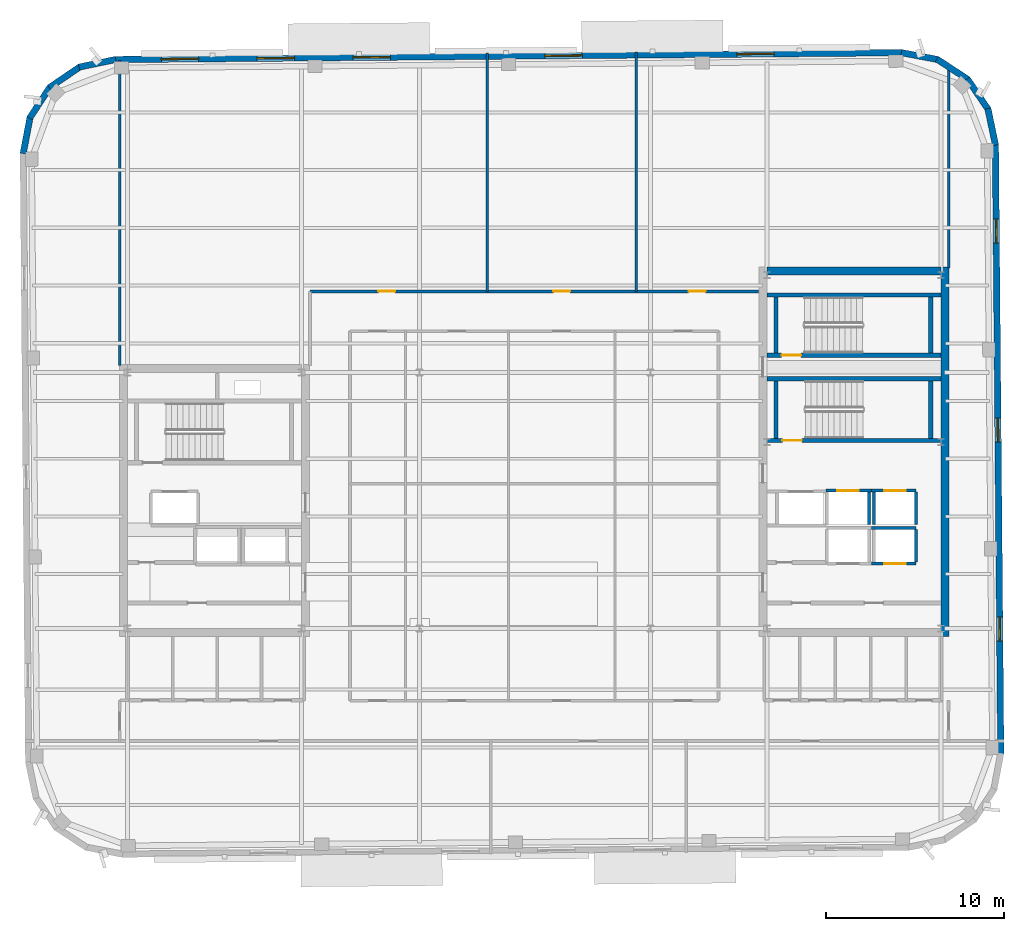
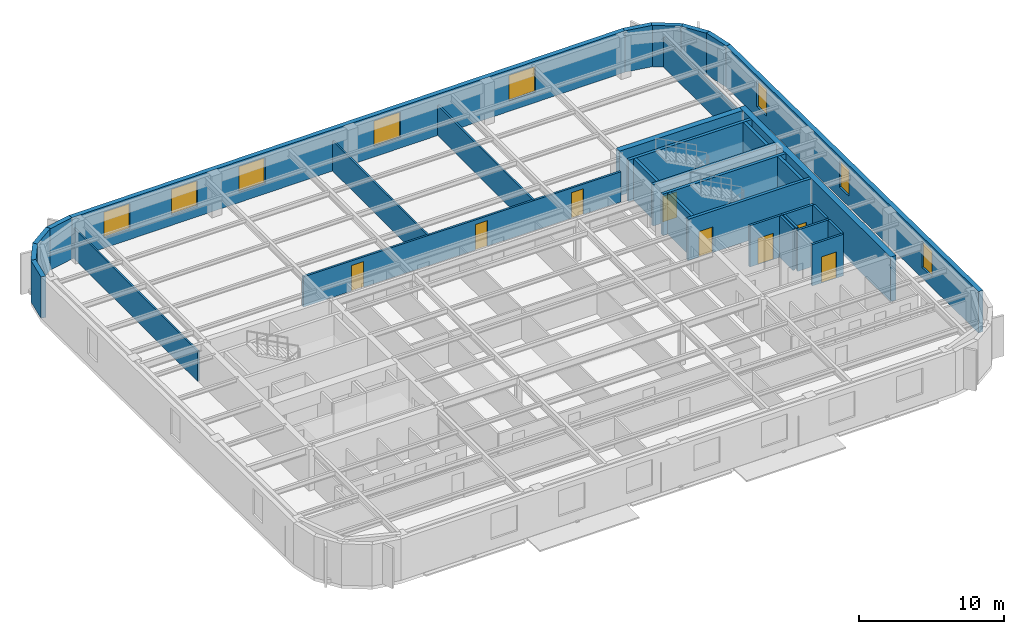
# One storey, part 9 of 15: 33 walls, 8 doors, 8 windows, 16 openings.
"""IFC4 building model written with IfcOpenShell, lengths in metres."""

from ifc_helpers import new_model, si_unit, direction, frame, frame_2d, origin, place, context, subcontext, project, spatial, rectangle, extrude, material, layer, layer_set, type_object, element, fill, save


model = new_model("IFC4")

# Units and contexts
model_context = context("Model", 3, precision=1e-05, world=origin(), true_north=direction((0.0, 1.0)))
body_context = subcontext(model_context, "Body", "Model", "MODEL_VIEW")
ifc_project = project(units=[si_unit("LENGTHUNIT", "METRE"), si_unit("AREAUNIT", "SQUARE_METRE"), si_unit("VOLUMEUNIT", "CUBIC_METRE"), si_unit("PLANEANGLEUNIT", "RADIAN"), si_unit("MASSUNIT", "GRAM", prefix="KILO")], contexts=[model_context])

# Site, building, storey
site_placement = place(None, origin())
site = spatial("IfcSite", under=ifc_project, at=site_placement, CompositionType="ELEMENT")
building_placement = place(site_placement, origin())
building = spatial("IfcBuilding", under=site, at=building_placement, Name="Kolvaren Arena Tower", CompositionType="ELEMENT")
storey_placement = place(building_placement, frame((0.0, 0.0, 304.89990234375)))
storey = spatial("IfcBuildingStorey", under=building, at=storey_placement, Name="L75", CompositionType="ELEMENT", Elevation=304.89990234375)

# Wall, openings, doors
ifc_material_1 = material(Name="Gypsum board acoustic assembly", Category="gypsum")
ifc_layer_1 = layer(ifc_material_1, 0.159912109375)
ifc_layer_set_1 = layer_set([ifc_layer_1], Name="Gypsum board acoustic assembly")
wall_type_1 = type_object("IfcWallType", Name="CORR-160", PredefinedType="PARTITIONING", material=ifc_layer_set_1)
wall_1_placement = place(storey_placement, frame((24.820068359375, 38.419921875, 0.0), z_axis=(0.0, 0.0, 1.0), x_axis=(1.0, 0.0, 0.0)))
wall_1 = element("IfcWall", 1, at=wall_1_placement, inside=storey, type_object=wall_type_1, Name="Interior Partition Wall (L75)", PredefinedType="PARTITIONING", context=body_context, shape_type="SweptSolid", body=[
    extrude(rectangle(XDim=25.260009765625, YDim=0.159912109375, at=frame_2d((12.6298828125, 0.0))), origin(), (0.0, 0.0, 1.0), 2.5400390625),
])
opening_1_placement = place(wall_1_placement, frame((3.85498046875, 0.0, 0.0)))
opening_1 = element("IfcOpeningElement", 2, at=opening_1_placement, cuts=wall_1, Name="Opening D05", PredefinedType="OPENING", context=body_context, shape_type="SweptSolid", body=[
    extrude(rectangle(XDim=0.949951171875, YDim=2.14990234375, at=frame_2d((0.47509765625, 1.074951171875))), frame((0.0, 0.08984375, 0.0), z_axis=(0.0, -1.0, 0.0), x_axis=(1.0, 0.0, 0.0)), (0.0, 0.0, 1.0), 0.179931640625),
])
opening_2_placement = place(wall_1_placement, frame((13.705078125, 0.0, 0.0)))
opening_2 = element("IfcOpeningElement", 3, at=opening_2_placement, cuts=wall_1, Name="Opening D05", PredefinedType="OPENING", context=body_context, shape_type="SweptSolid", body=[
    extrude(rectangle(XDim=0.949951171875, YDim=2.14990234375, at=frame_2d((0.47509765625, 1.074951171875))), frame((0.0, 0.08984375, 0.0), z_axis=(0.0, -1.0, 0.0), x_axis=(1.0, 0.0, 0.0)), (0.0, 0.0, 1.0), 0.179931640625),
])
opening_3_placement = place(wall_1_placement, frame((21.330078125, 0.0, 0.0)))
opening_3 = element("IfcOpeningElement", 4, at=opening_3_placement, cuts=wall_1, Name="Opening D05", PredefinedType="OPENING", context=body_context, shape_type="SweptSolid", body=[
    extrude(rectangle(XDim=0.949951171875, YDim=2.14990234375, at=frame_2d((0.47509765625, 1.074951171875))), frame((0.0, 0.08984375, 0.0), z_axis=(0.0, -1.0, 0.0), x_axis=(1.0, 0.0, 0.0)), (0.0, 0.0, 1.0), 0.179931640625),
])
ifc_material_2 = material(Name="Solid-core oak acoustic office door", Category="wood")
door_type_1 = type_object("IfcDoorType", Name="DOOR-OF-095", OperationType="NOTDEFINED", PredefinedType="DOOR", material=ifc_material_2)
door_1_placement = place(opening_1_placement, origin())
door_1 = element("IfcDoor", 5, at=door_1_placement, inside=storey, type_object=door_type_1, Name="Design Studio Door (L75)", OperationType="SINGLE_SWING_RIGHT", OverallHeight=2.14990234375, OverallWidth=0.949951171875, PredefinedType="DOOR", context=body_context, shape_type="SweptSolid", body=[
    extrude(rectangle(XDim=0.949951171875, YDim=2.14990234375, at=frame_2d((0.47509765625, 1.074951171875))), frame((0.0, 0.02490234375, 0.0), z_axis=(0.0, -1.0, 0.0), x_axis=(1.0, 0.0, 0.0)), (0.0, 0.0, 1.0), 0.050048828125),
])
fill(opening_1, door_1)
door_2_placement = place(opening_2_placement, origin())
door_2 = element("IfcDoor", 6, at=door_2_placement, inside=storey, type_object=door_type_1, Name="Corporate Project Office Door (L75)", OperationType="SINGLE_SWING_LEFT", OverallHeight=2.14990234375, OverallWidth=0.949951171875, PredefinedType="DOOR", context=body_context, shape_type="SweptSolid", body=[
    extrude(rectangle(XDim=0.949951171875, YDim=2.14990234375, at=frame_2d((0.47509765625, 1.074951171875))), frame((0.0, 0.02490234375, 0.0), z_axis=(0.0, -1.0, 0.0), x_axis=(1.0, 0.0, 0.0)), (0.0, 0.0, 1.0), 0.050048828125),
])
fill(opening_2, door_2)
door_3_placement = place(opening_3_placement, origin())
door_3 = element("IfcDoor", 7, at=door_3_placement, inside=storey, type_object=door_type_1, Name="Breakout Pantry and Kitchen Door (L75)", OperationType="SINGLE_SWING_RIGHT", OverallHeight=2.14990234375, OverallWidth=0.949951171875, PredefinedType="DOOR", context=body_context, shape_type="SweptSolid", body=[
    extrude(rectangle(XDim=0.949951171875, YDim=2.14990234375, at=frame_2d((0.47509765625, 1.074951171875))), frame((0.0, 0.02490234375, 0.0), z_axis=(0.0, -1.0, 0.0), x_axis=(1.0, 0.0, 0.0)), (0.0, 0.0, 1.0), 0.050048828125),
])
fill(opening_3, door_3)

# Walls
ifc_material_3 = material(Name="Concrete 55 MPa", Category="concrete")
ifc_layer_2 = layer(ifc_material_3, 0.449951171875)
ifc_layer_set_2 = layer_set([ifc_layer_2], Name="Concrete 55 MPa")
wall_type_2 = type_object("IfcWallType", Name="CWALL-450", PredefinedType="SHEAR", material=ifc_layer_set_2)
wall_2_placement = place(storey_placement, frame((60.574951171875, 19.0, -0.27001953125), z_axis=(0.0, 0.0, 1.0), x_axis=(0.0, 1.0, 0.0)))
element("IfcWall", 8, at=wall_2_placement, inside=storey, type_object=wall_type_2, Name="Core Shear Wall EC-EAST (L75)", PredefinedType="SHEAR", context=body_context, shape_type="SweptSolid", body=[
    extrude(rectangle(XDim=20.800048828125, YDim=0.449951171875, at=frame_2d((10.39990234375, 0.0))), origin(), (0.0, 0.0, 1.0), 3.75),
])
wall_3_placement = place(storey_placement, frame((50.550048828125, 39.574951171875, -0.27001953125), z_axis=(0.0, 0.0, 1.0), x_axis=(1.0, 0.0, 0.0)))
element("IfcWall", 9, at=wall_3_placement, inside=storey, type_object=wall_type_2, Name="Core Shear Wall EC-NORTH (L75)", PredefinedType="SHEAR", context=body_context, shape_type="SweptSolid", body=[
    extrude(rectangle(XDim=9.800048828125, YDim=0.449951171875, at=frame_2d((4.89990234375, 0.0))), origin(), (0.0, 0.0, 1.0), 3.75),
])

# Wall, openings, windows
ifc_material_4 = material(Name="Precast concrete C50/60", Category="concrete")
ifc_layer_3 = layer(ifc_material_4, 0.360107421875)
ifc_layer_set_3 = layer_set([ifc_layer_3], Name="Precast concrete C50/60")
wall_type_3 = type_object("IfcWallType", Name="EXT-PIER2", PredefinedType="SOLIDWALL", material=ifc_layer_set_3)
wall_4_placement = place(storey_placement, frame((63.419189453125, 46.688232421875, 0.0), z_axis=(0.0, 0.0, 1.0), x_axis=(0.008726391715, -0.999961924319, 0.0)))
wall_4 = element("IfcWall", 10, at=wall_4_placement, inside=storey, type_object=wall_type_3, Name="Exterior Precast Masonry-Frame Wall (L75)", PredefinedType="SOLIDWALL", context=body_context, shape_type="SweptSolid", body=[
    extrude(rectangle(XDim=34.300048828125, YDim=0.360107421875, at=frame_2d((17.14990234375, 0.0))), origin(), (0.0, 0.0, 1.0), 3.47998046875),
])
opening_4_placement = place(wall_4_placement, frame((4.199951171875, 0.0, 0.8798828125)))
opening_4 = element("IfcOpeningElement", 11, at=opening_4_placement, cuts=wall_4, Name="Opening W04", PredefinedType="OPENING", context=body_context, shape_type="SweptSolid", body=[
    extrude(rectangle(XDim=1.35009765625, YDim=2.199951171875, at=frame_2d((0.675048828125, 1.10009765625))), frame((0.0, 0.18994140625, 0.0), z_axis=(0.0, -1.0, 0.0), x_axis=(1.0, 0.0, 0.0)), (0.0, 0.0, 1.0), 0.380126953125),
])
opening_5_placement = place(wall_4_placement, frame((15.39990234375, 0.0, 0.8798828125)))
opening_5 = element("IfcOpeningElement", 12, at=opening_5_placement, cuts=wall_4, Name="Opening W04", PredefinedType="OPENING", context=body_context, shape_type="SweptSolid", body=[
    extrude(rectangle(XDim=1.35009765625, YDim=2.199951171875, at=frame_2d((0.675048828125, 1.10009765625))), frame((0.0, 0.18994140625, 0.0), z_axis=(0.0, -1.0, 0.0), x_axis=(1.0, 0.0, 0.0)), (0.0, 0.0, 1.0), 0.380126953125),
])
opening_6_placement = place(wall_4_placement, frame((26.60009765625, 0.0, 0.8798828125)))
opening_6 = element("IfcOpeningElement", 13, at=opening_6_placement, cuts=wall_4, Name="Opening W04", PredefinedType="OPENING", context=body_context, shape_type="SweptSolid", body=[
    extrude(rectangle(XDim=1.35009765625, YDim=2.199951171875, at=frame_2d((0.675048828125, 1.10009765625))), frame((0.0, 0.18994140625, 0.0), z_axis=(0.0, -1.0, 0.0), x_axis=(1.0, 0.0, 0.0)), (0.0, 0.0, 1.0), 0.380126953125),
])
ifc_material_5 = material(Name="Triple-glazed curved-facet corner window", Category="glass")
window_type_1 = type_object("IfcWindowType", Name="WIN-CRN-A", PartitioningType="SINGLE_PANEL", PredefinedType="WINDOW", material=ifc_material_5)
window_1_placement = place(opening_4_placement, origin())
window_1 = element("IfcWindow", 14, at=window_1_placement, inside=storey, type_object=window_type_1, Name="End-Wall Punched Window (L75)", OverallHeight=2.199951171875, OverallWidth=1.35009765625, PartitioningType="SINGLE_PANEL", PredefinedType="WINDOW", context=body_context, shape_type="SweptSolid", body=[
    extrude(rectangle(XDim=1.35009765625, YDim=2.199951171875, at=frame_2d((0.675048828125, 1.10009765625))), frame((0.0, 0.030029296875, 0.0), z_axis=(0.0, -1.0, 0.0), x_axis=(1.0, 0.0, 0.0)), (0.0, 0.0, 1.0), 0.06005859375),
])
fill(opening_4, window_1)
window_2_placement = place(opening_5_placement, origin())
window_2 = element("IfcWindow", 15, at=window_2_placement, inside=storey, type_object=window_type_1, Name="End-Wall Punched Window (L75)", OverallHeight=2.199951171875, OverallWidth=1.35009765625, PartitioningType="SINGLE_PANEL", PredefinedType="WINDOW", context=body_context, shape_type="SweptSolid", body=[
    extrude(rectangle(XDim=1.35009765625, YDim=2.199951171875, at=frame_2d((0.675048828125, 1.10009765625))), frame((0.0, 0.030029296875, 0.0), z_axis=(0.0, -1.0, 0.0), x_axis=(1.0, 0.0, 0.0)), (0.0, 0.0, 1.0), 0.06005859375),
])
fill(opening_5, window_2)
window_3_placement = place(opening_6_placement, origin())
window_3 = element("IfcWindow", 16, at=window_3_placement, inside=storey, type_object=window_type_1, Name="End-Wall Punched Window (L75)", OverallHeight=2.199951171875, OverallWidth=1.35009765625, PartitioningType="SINGLE_PANEL", PredefinedType="WINDOW", context=body_context, shape_type="SweptSolid", body=[
    extrude(rectangle(XDim=1.35009765625, YDim=2.199951171875, at=frame_2d((0.675048828125, 1.10009765625))), frame((0.0, 0.030029296875, 0.0), z_axis=(0.0, -1.0, 0.0), x_axis=(1.0, 0.0, 0.0)), (0.0, 0.0, 1.0), 0.06005859375),
])
fill(opening_6, window_3)

# Walls
for number, where, z_axis, x_axis, name in (
    (17, (62.993896484375, 48.7158203125, 0.0), (0.0, 0.0, 1.0), (0.203709000552, -0.979031482177, 0.0), "Exterior Precast Masonry-Frame Wall (L75)"),
    (18, (61.835693359375, 50.392822265625, 0.0), (0.0, 0.0, 1.0), (0.562829722645, -0.826572866302, 0.0), "Exterior Precast Masonry-Frame Wall (L75)"),
):
    element("IfcWall", number, at=place(storey_placement, frame(where, z_axis=z_axis, x_axis=x_axis)), inside=storey, type_object=wall_type_3, Name=name, PredefinedType="SOLIDWALL", context=body_context, shape_type="SweptSolid", body=[
        extrude(rectangle(XDim=2.10693359375, YDim=0.360107421875, at=frame_2d((1.053466796875, 0.0))), origin(), (0.0, 0.0, 1.0), 3.47998046875),
    ])
for number, where, z_axis, x_axis, name in (
    (19, (60.123779296875, 51.498779296875, 0.0), (0.0, 0.0, 1.0), (0.83632188969, -0.548238722478, 0.0), "Exterior Precast Masonry-Frame Wall (L75)"),
    (20, (58.118896484375, 51.865478515625, 0.0), (0.0, 0.0, 1.0), (0.982463107022, -0.186457081764, 0.0), "Exterior Precast Masonry-Frame Wall (L75)"),
):
    element("IfcWall", number, at=place(storey_placement, frame(where, z_axis=z_axis, x_axis=x_axis)), inside=storey, type_object=wall_type_3, Name=name, PredefinedType="SOLIDWALL", context=body_context, shape_type="SweptSolid", body=[
        extrude(rectangle(XDim=2.106689453125, YDim=0.360107421875, at=frame_2d((1.05322265625, 0.0))), origin(), (0.0, 0.0, 1.0), 3.47998046875),
    ])

# Wall, openings, windows
wall_5_placement = place(storey_placement, frame((13.855712890625, 51.475830078125, 0.0), z_axis=(0.0, 0.0, 1.0), x_axis=(0.999961944954, 0.008724026757, 0.0)))
wall_5 = element("IfcWall", 21, at=wall_5_placement, inside=storey, type_object=wall_type_3, Name="Exterior Precast Masonry-Frame Wall (L75)", PredefinedType="SOLIDWALL", context=body_context, shape_type="SweptSolid", body=[
    extrude(rectangle(XDim=44.300048828125, YDim=0.360107421875, at=frame_2d((22.14990234375, 0.0))), origin(), (0.0, 0.0, 1.0), 3.47998046875),
])
opening_7_placement = place(wall_5_placement, frame((2.60009765625, 0.0, 0.8798828125)))
opening_7 = element("IfcOpeningElement", 22, at=opening_7_placement, cuts=wall_5, Name="Opening W01", PredefinedType="OPENING", context=body_context, shape_type="SweptSolid", body=[
    extrude(rectangle(XDim=2.10009765625, YDim=2.14990234375, at=frame_2d((1.050048828125, 1.074951171875))), frame((0.0, 0.18994140625, 0.0), z_axis=(0.0, -1.0, 0.0), x_axis=(1.0, 0.0, 0.0)), (0.0, 0.0, 1.0), 0.380126953125),
])
opening_8_placement = place(wall_5_placement, frame((8.0, 0.0, 0.8798828125)))
opening_8 = element("IfcOpeningElement", 23, at=opening_8_placement, cuts=wall_5, Name="Opening W01", PredefinedType="OPENING", context=body_context, shape_type="SweptSolid", body=[
    extrude(rectangle(XDim=2.10009765625, YDim=2.14990234375, at=frame_2d((1.050048828125, 1.074951171875))), frame((0.0, 0.18994140625, 0.0), z_axis=(0.0, -1.0, 0.0), x_axis=(1.0, 0.0, 0.0)), (0.0, 0.0, 1.0), 0.380126953125),
])
opening_9_placement = place(wall_5_placement, frame((13.39990234375, 0.0, 0.8798828125)))
opening_9 = element("IfcOpeningElement", 24, at=opening_9_placement, cuts=wall_5, Name="Opening W01", PredefinedType="OPENING", context=body_context, shape_type="SweptSolid", body=[
    extrude(rectangle(XDim=2.10009765625, YDim=2.14990234375, at=frame_2d((1.050048828125, 1.074951171875))), frame((0.0, 0.18994140625, 0.0), z_axis=(0.0, -1.0, 0.0), x_axis=(1.0, 0.0, 0.0)), (0.0, 0.0, 1.0), 0.380126953125),
])
opening_10_placement = place(wall_5_placement, frame((24.199951171875, 0.0, 0.8798828125)))
opening_10 = element("IfcOpeningElement", 25, at=opening_10_placement, cuts=wall_5, Name="Opening W01", PredefinedType="OPENING", context=body_context, shape_type="SweptSolid", body=[
    extrude(rectangle(XDim=2.10009765625, YDim=2.14990234375, at=frame_2d((1.050048828125, 1.074951171875))), frame((0.0, 0.18994140625, 0.0), z_axis=(0.0, -1.0, 0.0), x_axis=(1.0, 0.0, 0.0)), (0.0, 0.0, 1.0), 0.380126953125),
])
opening_11_placement = place(wall_5_placement, frame((35.0, 0.0, 0.8798828125)))
opening_11 = element("IfcOpeningElement", 26, at=opening_11_placement, cuts=wall_5, Name="Opening W01", PredefinedType="OPENING", context=body_context, shape_type="SweptSolid", body=[
    extrude(rectangle(XDim=2.10009765625, YDim=2.14990234375, at=frame_2d((1.050048828125, 1.074951171875))), frame((0.0, 0.18994140625, 0.0), z_axis=(0.0, -1.0, 0.0), x_axis=(1.0, 0.0, 0.0)), (0.0, 0.0, 1.0), 0.380126953125),
])
ifc_material_6 = material(Name="Triple-glazed low-E aluminium window", Category="aluminium")
window_type_2 = type_object("IfcWindowType", Name="WIN-OFF-A", PartitioningType="DOUBLE_PANEL_VERTICAL", PredefinedType="WINDOW", material=ifc_material_6)
window_4_placement = place(opening_7_placement, origin())
window_4 = element("IfcWindow", 27, at=window_4_placement, inside=storey, type_object=window_type_2, Name="Punched Precast-Pier Window (L75)", OverallHeight=2.14990234375, OverallWidth=2.10009765625, PartitioningType="DOUBLE_PANEL_VERTICAL", PredefinedType="WINDOW", context=body_context, shape_type="SweptSolid", body=[
    extrude(rectangle(XDim=2.10009765625, YDim=2.14990234375, at=frame_2d((1.050048828125, 1.074951171875))), frame((0.0, 0.030029296875, 0.0), z_axis=(0.0, -1.0, 0.0), x_axis=(1.0, 0.0, 0.0)), (0.0, 0.0, 1.0), 0.06005859375),
])
fill(opening_7, window_4)
window_5_placement = place(opening_8_placement, origin())
window_5 = element("IfcWindow", 28, at=window_5_placement, inside=storey, type_object=window_type_2, Name="Punched Precast-Pier Window (L75)", OverallHeight=2.14990234375, OverallWidth=2.10009765625, PartitioningType="DOUBLE_PANEL_VERTICAL", PredefinedType="WINDOW", context=body_context, shape_type="SweptSolid", body=[
    extrude(rectangle(XDim=2.10009765625, YDim=2.14990234375, at=frame_2d((1.050048828125, 1.074951171875))), frame((0.0, 0.030029296875, 0.0), z_axis=(0.0, -1.0, 0.0), x_axis=(1.0, 0.0, 0.0)), (0.0, 0.0, 1.0), 0.06005859375),
])
fill(opening_8, window_5)
window_6_placement = place(opening_9_placement, origin())
window_6 = element("IfcWindow", 29, at=window_6_placement, inside=storey, type_object=window_type_2, Name="Punched Precast-Pier Window (L75)", OverallHeight=2.14990234375, OverallWidth=2.10009765625, PartitioningType="DOUBLE_PANEL_VERTICAL", PredefinedType="WINDOW", context=body_context, shape_type="SweptSolid", body=[
    extrude(rectangle(XDim=2.10009765625, YDim=2.14990234375, at=frame_2d((1.050048828125, 1.074951171875))), frame((0.0, 0.030029296875, 0.0), z_axis=(0.0, -1.0, 0.0), x_axis=(1.0, 0.0, 0.0)), (0.0, 0.0, 1.0), 0.06005859375),
])
fill(opening_9, window_6)
window_7_placement = place(opening_10_placement, origin())
window_7 = element("IfcWindow", 30, at=window_7_placement, inside=storey, type_object=window_type_2, Name="Punched Precast-Pier Window (L75)", OverallHeight=2.14990234375, OverallWidth=2.10009765625, PartitioningType="DOUBLE_PANEL_VERTICAL", PredefinedType="WINDOW", context=body_context, shape_type="SweptSolid", body=[
    extrude(rectangle(XDim=2.10009765625, YDim=2.14990234375, at=frame_2d((1.050048828125, 1.074951171875))), frame((0.0, 0.030029296875, 0.0), z_axis=(0.0, -1.0, 0.0), x_axis=(1.0, 0.0, 0.0)), (0.0, 0.0, 1.0), 0.06005859375),
])
fill(opening_10, window_7)
window_8_placement = place(opening_11_placement, origin())
window_8 = element("IfcWindow", 31, at=window_8_placement, inside=storey, type_object=window_type_2, Name="Punched Precast-Pier Window (L75)", OverallHeight=2.14990234375, OverallWidth=2.10009765625, PartitioningType="DOUBLE_PANEL_VERTICAL", PredefinedType="WINDOW", context=body_context, shape_type="SweptSolid", body=[
    extrude(rectangle(XDim=2.10009765625, YDim=2.14990234375, at=frame_2d((1.050048828125, 1.074951171875))), frame((0.0, 0.030029296875, 0.0), z_axis=(0.0, -1.0, 0.0), x_axis=(1.0, 0.0, 0.0)), (0.0, 0.0, 1.0), 0.06005859375),
])
fill(opening_11, window_8)

# Walls
for number, where, z_axis, x_axis, name in (
    (32, (11.827880859375, 51.050537109375, 0.0), (0.0, 0.0, 1.0), (0.97905458633, 0.203597929717, 0.0), "Exterior Precast Masonry-Frame Wall (L75)"),
    (33, (10.15087890625, 49.89208984375, 0.0), (0.0, 0.0, 1.0), (0.826609569219, 0.56277581689, 0.0), "Exterior Precast Masonry-Frame Wall (L75)"),
):
    element("IfcWall", number, at=place(storey_placement, frame(where, z_axis=z_axis, x_axis=x_axis)), inside=storey, type_object=wall_type_3, Name=name, PredefinedType="SOLIDWALL", context=body_context, shape_type="SweptSolid", body=[
        extrude(rectangle(XDim=2.10693359375, YDim=0.360107421875, at=frame_2d((1.053466796875, 0.0))), origin(), (0.0, 0.0, 1.0), 3.47998046875),
    ])
for number, where, z_axis, x_axis, name in (
    (34, (9.044921875, 48.18017578125, 0.0), (0.0, 0.0, 1.0), (0.548266637224, 0.836303589916, 0.0), "Exterior Precast Masonry-Frame Wall (L75)"),
    (35, (8.67822265625, 46.17529296875, 0.0), (0.0, 0.0, 1.0), (0.186547695246, 0.982445905584, 0.0), "Exterior Precast Masonry-Frame Wall (L75)"),
):
    element("IfcWall", number, at=place(storey_placement, frame(where, z_axis=z_axis, x_axis=x_axis)), inside=storey, type_object=wall_type_3, Name=name, PredefinedType="SOLIDWALL", context=body_context, shape_type="SweptSolid", body=[
        extrude(rectangle(XDim=2.107177734375, YDim=0.360107421875, at=frame_2d((1.0537109375, 0.0))), origin(), (0.0, 0.0, 1.0), 3.47998046875),
    ])
ifc_material_7 = material(Name="Gypsum board partition assembly", Category="gypsum")
ifc_layer_4 = layer(ifc_material_7, 0.135009765625)
ifc_layer_set_4 = layer_set([ifc_layer_4], Name="Gypsum board partition assembly")
wall_type_4 = type_object("IfcWallType", Name="PART-135", PredefinedType="PARTITIONING", material=ifc_layer_set_4)
wall_6_placement = place(storey_placement, frame((34.800048828125, 38.419921875, 0.0), z_axis=(0.0, 0.0, 1.0), x_axis=(0.0, 1.0, 0.0)))
element("IfcWall", 36, at=wall_6_placement, inside=storey, type_object=wall_type_4, Name="Interior Partition Wall (L75)", PredefinedType="PARTITIONING", context=body_context, shape_type="SweptSolid", body=[
    extrude(rectangle(XDim=13.418701171875, YDim=0.135009765625, at=frame_2d((6.70947265625, 0.0))), origin(), (0.0, 0.0, 1.0), 2.5400390625),
])
wall_7_placement = place(storey_placement, frame((43.199951171875, 38.419921875, 0.0), z_axis=(0.0, 0.0, 1.0), x_axis=(0.0, 1.0, 0.0)))
element("IfcWall", 37, at=wall_7_placement, inside=storey, type_object=wall_type_4, Name="Interior Partition Wall (L75)", PredefinedType="PARTITIONING", context=body_context, shape_type="SweptSolid", body=[
    extrude(rectangle(XDim=13.491943359375, YDim=0.135009765625, at=frame_2d((6.74609375, 0.0))), origin(), (0.0, 0.0, 1.0), 2.5400390625),
])
wall_8_placement = place(storey_placement, frame((14.1201171875, 34.25, 0.0), z_axis=(0.0, 0.0, 1.0), x_axis=(0.0, 1.0, 0.0)))
element("IfcWall", 38, at=wall_8_placement, inside=storey, type_object=wall_type_4, Name="Interior Partition Wall (L75)", PredefinedType="PARTITIONING", context=body_context, shape_type="SweptSolid", body=[
    extrude(rectangle(XDim=17.168212890625, YDim=0.135009765625, at=frame_2d((8.583984375, 0.0))), origin(), (0.0, 0.0, 1.0), 2.5400390625),
])
wall_9_placement = place(storey_placement, frame((60.780029296875, 39.75, 0.0), z_axis=(0.0, 0.0, 1.0), x_axis=(0.0, 1.0, 0.0)))
element("IfcWall", 39, at=wall_9_placement, inside=storey, type_object=wall_type_4, Name="Interior Partition Wall (L75)", PredefinedType="PARTITIONING", context=body_context, shape_type="SweptSolid", body=[
    extrude(rectangle(XDim=11.246826171875, YDim=0.135009765625, at=frame_2d((5.62353515625, 0.0))), origin(), (0.0, 0.0, 1.0), 2.5400390625),
])

# Wall, opening, door
ifc_material_8 = material(Name="Concrete 45 MPa", Category="concrete")
ifc_layer_5 = layer(ifc_material_8, 0.25)
ifc_layer_set_5 = layer_set([ifc_layer_5], Name="Concrete 45 MPa")
wall_type_5 = type_object("IfcWallType", Name="SHAFT-250", PredefinedType="SOLIDWALL", material=ifc_layer_set_5)
wall_10_placement = place(storey_placement, frame((60.35009765625, 30.030029296875, 0.0), z_axis=(0.0, 0.0, 1.0), x_axis=(-1.0, 0.0, 0.0)))
wall_10 = element("IfcWall", 40, at=wall_10_placement, inside=storey, type_object=wall_type_5, Name="Core Shaft Wall (L75)", PredefinedType="SOLIDWALL", context=body_context, shape_type="SweptSolid", body=[
    extrude(rectangle(XDim=9.800048828125, YDim=0.239990234375, at=frame_2d((4.89990234375, 0.0))), origin(), (0.0, 0.0, 1.0), 3.47998046875),
])
opening_12_placement = place(wall_10_placement, frame((7.830078125, 0.0, 0.0)))
opening_12 = element("IfcOpeningElement", 41, at=opening_12_placement, cuts=wall_10, Name="Opening D03", PredefinedType="OPENING", context=body_context, shape_type="SweptSolid", body=[
    extrude(rectangle(XDim=1.10009765625, YDim=2.14990234375, at=frame_2d((0.550048828125, 1.074951171875))), frame((0.0, 0.1298828125, 0.0), z_axis=(0.0, -1.0, 0.0), x_axis=(1.0, 0.0, 0.0)), (0.0, 0.0, 1.0), 0.260009765625),
])
ifc_material_9 = material(Name="Fire-rated steel exit stair door", Category="steel")
door_type_2 = type_object("IfcDoorType", Name="DOOR-ST-110", OperationType="NOTDEFINED", PredefinedType="DOOR", material=ifc_material_9)
door_4_placement = place(opening_12_placement, origin())
door_4 = element("IfcDoor", 42, at=door_4_placement, inside=storey, type_object=door_type_2, Name="Stair ST-E1 Fire Door (L75)", OperationType="SINGLE_SWING_LEFT", OverallHeight=2.14990234375, OverallWidth=1.10009765625, PredefinedType="DOOR", context=body_context, shape_type="SweptSolid", body=[
    extrude(rectangle(XDim=1.10009765625, YDim=2.14990234375, at=frame_2d((0.550048828125, 1.074951171875))), frame((0.0, 0.02490234375, 0.0), z_axis=(0.0, -1.0, 0.0), x_axis=(1.0, 0.0, 0.0)), (0.0, 0.0, 1.0), 0.050048828125),
])
fill(opening_12, door_4)

# Walls
wall_11_placement = place(storey_placement, frame((50.550048828125, 33.5, 0.0), z_axis=(0.0, 0.0, 1.0), x_axis=(1.0, 0.0, 0.0)))
element("IfcWall", 43, at=wall_11_placement, inside=storey, type_object=wall_type_5, Name="Core Shaft Wall (L75)", PredefinedType="SOLIDWALL", context=body_context, shape_type="SweptSolid", body=[
    extrude(rectangle(XDim=9.800048828125, YDim=0.239990234375, at=frame_2d((4.89990234375, 0.0))), origin(), (0.0, 0.0, 1.0), 3.47998046875),
])
for number, where, z_axis, x_axis, name in (
    (44, (51.06005859375, 30.14990234375, 0.0), (0.0, 0.0, 1.0), (0.0, 1.0, 0.0), "Core Shaft Wall (L75)"),
    (45, (59.780029296875, 30.14990234375, 0.0), (0.0, 0.0, 1.0), (0.0, 1.0, 0.0), "Core Shaft Wall (L75)"),
):
    element("IfcWall", number, at=place(storey_placement, frame(where, z_axis=z_axis, x_axis=x_axis)), inside=storey, type_object=wall_type_5, Name=name, PredefinedType="SOLIDWALL", context=body_context, shape_type="SweptSolid", body=[
        extrude(rectangle(XDim=3.22998046875, YDim=0.239990234375, at=frame_2d((1.614990234375, 0.0))), origin(), (0.0, 0.0, 1.0), 3.47998046875),
    ])

# Wall, opening, door
wall_12_placement = place(storey_placement, frame((60.35009765625, 34.830078125, 0.0), z_axis=(0.0, 0.0, 1.0), x_axis=(-1.0, 0.0, 0.0)))
wall_12 = element("IfcWall", 46, at=wall_12_placement, inside=storey, type_object=wall_type_5, Name="Core Shaft Wall (L75)", PredefinedType="SOLIDWALL", context=body_context, shape_type="SweptSolid", body=[
    extrude(rectangle(XDim=9.800048828125, YDim=0.239990234375, at=frame_2d((4.89990234375, 0.0))), origin(), (0.0, 0.0, 1.0), 3.47998046875),
])
opening_13_placement = place(wall_12_placement, frame((7.8701171875, 0.0, 0.0)))
opening_13 = element("IfcOpeningElement", 47, at=opening_13_placement, cuts=wall_12, Name="Opening D03", PredefinedType="OPENING", context=body_context, shape_type="SweptSolid", body=[
    extrude(rectangle(XDim=1.10009765625, YDim=2.14990234375, at=frame_2d((0.550048828125, 1.074951171875))), frame((0.0, 0.1298828125, 0.0), z_axis=(0.0, -1.0, 0.0), x_axis=(1.0, 0.0, 0.0)), (0.0, 0.0, 1.0), 0.260009765625),
])
door_5_placement = place(opening_13_placement, origin())
door_5 = element("IfcDoor", 48, at=door_5_placement, inside=storey, type_object=door_type_2, Name="Stair ST-E2 Fire Door (L75)", OperationType="SINGLE_SWING_LEFT", OverallHeight=2.14990234375, OverallWidth=1.10009765625, PredefinedType="DOOR", context=body_context, shape_type="SweptSolid", body=[
    extrude(rectangle(XDim=1.10009765625, YDim=2.14990234375, at=frame_2d((0.550048828125, 1.074951171875))), frame((0.0, 0.02490234375, 0.0), z_axis=(0.0, -1.0, 0.0), x_axis=(1.0, 0.0, 0.0)), (0.0, 0.0, 1.0), 0.050048828125),
])
fill(opening_13, door_5)

# Walls
wall_13_placement = place(storey_placement, frame((50.550048828125, 38.219970703125, 0.0), z_axis=(0.0, 0.0, 1.0), x_axis=(1.0, 0.0, 0.0)))
element("IfcWall", 49, at=wall_13_placement, inside=storey, type_object=wall_type_5, Name="Core Shaft Wall (L75)", PredefinedType="SOLIDWALL", context=body_context, shape_type="SweptSolid", body=[
    extrude(rectangle(XDim=9.800048828125, YDim=0.239990234375, at=frame_2d((4.89990234375, 0.0))), origin(), (0.0, 0.0, 1.0), 3.47998046875),
])
for number, where, z_axis, x_axis, name in (
    (50, (51.06005859375, 34.949951171875, 0.0), (0.0, 0.0, 1.0), (0.0, 1.0, 0.0), "Core Shaft Wall (L75)"),
    (51, (59.780029296875, 34.949951171875, 0.0), (0.0, 0.0, 1.0), (0.0, 1.0, 0.0), "Core Shaft Wall (L75)"),
):
    element("IfcWall", number, at=place(storey_placement, frame(where, z_axis=z_axis, x_axis=x_axis)), inside=storey, type_object=wall_type_5, Name=name, PredefinedType="SOLIDWALL", context=body_context, shape_type="SweptSolid", body=[
        extrude(rectangle(XDim=3.150146484375, YDim=0.239990234375, at=frame_2d((1.5751953125, 0.0))), origin(), (0.0, 0.0, 1.0), 3.47998046875),
    ])
wall_14_placement = place(storey_placement, frame((56.43994140625, 25.10498046875, 0.0), z_axis=(0.0, 0.0, 1.0), x_axis=(1.0, 0.0, 0.0)))
element("IfcWall", 52, at=wall_14_placement, inside=storey, type_object=wall_type_5, Name="Core Shaft Wall (L75)", PredefinedType="SOLIDWALL", context=body_context, shape_type="SweptSolid", body=[
    extrude(rectangle(XDim=2.5, YDim=0.179931640625, at=frame_2d((1.25, 0.0))), origin(), (0.0, 0.0, 1.0), 3.47998046875),
])

# Wall, opening, door
wall_15_placement = place(storey_placement, frame((56.43994140625, 23.094970703125, 0.0), z_axis=(0.0, 0.0, 1.0), x_axis=(1.0, 0.0, 0.0)))
wall_15 = element("IfcWall", 53, at=wall_15_placement, inside=storey, type_object=wall_type_5, Name="Core Shaft Wall (L75)", PredefinedType="SOLIDWALL", context=body_context, shape_type="SweptSolid", body=[
    extrude(rectangle(XDim=2.5, YDim=0.179931640625, at=frame_2d((1.25, 0.0))), origin(), (0.0, 0.0, 1.0), 3.47998046875),
])
opening_14_placement = place(wall_15_placement, frame((0.719970703125, 0.0, 0.0)))
opening_14 = element("IfcOpeningElement", 54, at=opening_14_placement, cuts=wall_15, Name="Opening LD1", PredefinedType="OPENING", context=body_context, shape_type="SweptSolid", body=[
    extrude(rectangle(XDim=1.199951171875, YDim=2.199951171875, at=frame_2d((0.60009765625, 1.10009765625))), frame((0.0, 0.099853515625, 0.0), z_axis=(0.0, -1.0, 0.0), x_axis=(1.0, 0.0, 0.0)), (0.0, 0.0, 1.0), 0.199951171875),
])
ifc_material_10 = material(Name="Stainless steel passenger lift landing door", Category="steel")
door_type_3 = type_object("IfcDoorType", Name="DOOR-LD-120", OperationType="DOUBLE_DOOR_SLIDING", PredefinedType="DOOR", material=ifc_material_10)
door_6_placement = place(opening_14_placement, origin())
door_6 = element("IfcDoor", 55, at=door_6_placement, inside=storey, type_object=door_type_3, Name="Lift EL-HR2 Landing Door (L75)", OperationType="DOUBLE_DOOR_SLIDING", OverallHeight=2.199951171875, OverallWidth=1.199951171875, PredefinedType="DOOR", context=body_context, shape_type="SweptSolid", body=[
    extrude(rectangle(XDim=1.199951171875, YDim=2.199951171875, at=frame_2d((0.60009765625, 1.10009765625))), frame((0.0, 0.02490234375, 0.0), z_axis=(0.0, -1.0, 0.0), x_axis=(1.0, 0.0, 0.0)), (0.0, 0.0, 1.0), 0.050048828125),
])
fill(opening_14, door_6)

# Wall
wall_16_placement = place(storey_placement, frame((58.93994140625, 23.18505859375, 0.0), z_axis=(0.0, 0.0, 1.0), x_axis=(0.0, 1.0, 0.0)))
element("IfcWall", 56, at=wall_16_placement, inside=storey, type_object=wall_type_5, Name="Core Shaft Wall (L75)", PredefinedType="SOLIDWALL", context=body_context, shape_type="SweptSolid", body=[
    extrude(rectangle(XDim=1.829833984375, YDim=0.179931640625, at=frame_2d((0.9150390625, 0.0))), origin(), (0.0, 0.0, 1.0), 3.47998046875),
])

# Wall, opening, door
wall_17_placement = place(storey_placement, frame((53.864990234375, 27.205078125, 0.0), z_axis=(0.0, 0.0, 1.0), x_axis=(1.0, 0.0, 0.0)))
wall_17 = element("IfcWall", 57, at=wall_17_placement, inside=storey, type_object=wall_type_5, Name="Core Shaft Wall (L75)", PredefinedType="SOLIDWALL", context=body_context, shape_type="SweptSolid", body=[
    extrude(rectangle(XDim=2.574951171875, YDim=0.179931640625, at=frame_2d((1.28759765625, 0.0))), origin(), (0.0, 0.0, 1.0), 3.47998046875),
])
opening_15_placement = place(wall_17_placement, frame((0.655029296875, 0.0, 0.0)))
opening_15 = element("IfcOpeningElement", 58, at=opening_15_placement, cuts=wall_17, Name="Opening LD1", PredefinedType="OPENING", context=body_context, shape_type="SweptSolid", body=[
    extrude(rectangle(XDim=1.199951171875, YDim=2.199951171875, at=frame_2d((0.60009765625, 1.10009765625))), frame((0.0, 0.099853515625, 0.0), z_axis=(0.0, -1.0, 0.0), x_axis=(1.0, 0.0, 0.0)), (0.0, 0.0, 1.0), 0.199951171875),
])
door_7_placement = place(opening_15_placement, origin())
door_7 = element("IfcDoor", 59, at=door_7_placement, inside=storey, type_object=door_type_3, Name="Lift EL-HR3 Landing Door (L75)", OperationType="DOUBLE_DOOR_SLIDING", OverallHeight=2.199951171875, OverallWidth=1.199951171875, PredefinedType="DOOR", context=body_context, shape_type="SweptSolid", body=[
    extrude(rectangle(XDim=1.199951171875, YDim=2.199951171875, at=frame_2d((0.60009765625, 1.10009765625))), frame((0.0, 0.02490234375, 0.0), z_axis=(0.0, -1.0, 0.0), x_axis=(1.0, 0.0, 0.0)), (0.0, 0.0, 1.0), 0.050048828125),
])
fill(opening_15, door_7)

# Wall
wall_18_placement = place(storey_placement, frame((56.300048828125, 25.284912109375, 0.0), z_axis=(0.0, 0.0, 1.0), x_axis=(0.0, 1.0, 0.0)))
element("IfcWall", 60, at=wall_18_placement, inside=storey, type_object=wall_type_5, Name="Core Shaft Wall (L75)", PredefinedType="SOLIDWALL", context=body_context, shape_type="SweptSolid", body=[
    extrude(rectangle(XDim=1.830078125, YDim=0.179931640625, at=frame_2d((0.9150390625, 0.0))), origin(), (0.0, 0.0, 1.0), 3.47998046875),
])

# Wall, opening, door
wall_19_placement = place(storey_placement, frame((56.43994140625, 27.205078125, 0.0), z_axis=(0.0, 0.0, 1.0), x_axis=(1.0, 0.0, 0.0)))
wall_19 = element("IfcWall", 61, at=wall_19_placement, inside=storey, type_object=wall_type_5, Name="Core Shaft Wall (L75)", PredefinedType="SOLIDWALL", context=body_context, shape_type="SweptSolid", body=[
    extrude(rectangle(XDim=2.5, YDim=0.179931640625, at=frame_2d((1.25, 0.0))), origin(), (0.0, 0.0, 1.0), 3.47998046875),
])
opening_16_placement = place(wall_19_placement, frame((0.719970703125, 0.0, 0.0)))
opening_16 = element("IfcOpeningElement", 62, at=opening_16_placement, cuts=wall_19, Name="Opening LD1", PredefinedType="OPENING", context=body_context, shape_type="SweptSolid", body=[
    extrude(rectangle(XDim=1.199951171875, YDim=2.199951171875, at=frame_2d((0.60009765625, 1.10009765625))), frame((0.0, 0.099853515625, 0.0), z_axis=(0.0, -1.0, 0.0), x_axis=(1.0, 0.0, 0.0)), (0.0, 0.0, 1.0), 0.199951171875),
])
door_8_placement = place(opening_16_placement, origin())
door_8 = element("IfcDoor", 63, at=door_8_placement, inside=storey, type_object=door_type_3, Name="Lift EL-HR4 Landing Door (L75)", OperationType="DOUBLE_DOOR_SLIDING", OverallHeight=2.199951171875, OverallWidth=1.199951171875, PredefinedType="DOOR", context=body_context, shape_type="SweptSolid", body=[
    extrude(rectangle(XDim=1.199951171875, YDim=2.199951171875, at=frame_2d((0.60009765625, 1.10009765625))), frame((0.0, 0.02490234375, 0.0), z_axis=(0.0, -1.0, 0.0), x_axis=(1.0, 0.0, 0.0)), (0.0, 0.0, 1.0), 0.050048828125),
])
fill(opening_16, door_8)

# Walls
for number, where, z_axis, x_axis, name in (
    (64, (56.580078125, 25.284912109375, 0.0), (0.0, 0.0, 1.0), (0.0, 1.0, 0.0), "Core Shaft Wall (L75)"),
    (65, (58.93994140625, 25.284912109375, 0.0), (0.0, 0.0, 1.0), (0.0, 1.0, 0.0), "Core Shaft Wall (L75)"),
):
    element("IfcWall", number, at=place(storey_placement, frame(where, z_axis=z_axis, x_axis=x_axis)), inside=storey, type_object=wall_type_5, Name=name, PredefinedType="SOLIDWALL", context=body_context, shape_type="SweptSolid", body=[
        extrude(rectangle(XDim=1.830078125, YDim=0.179931640625, at=frame_2d((0.9150390625, 0.0))), origin(), (0.0, 0.0, 1.0), 3.47998046875),
    ])

save(model, "model.ifc")
